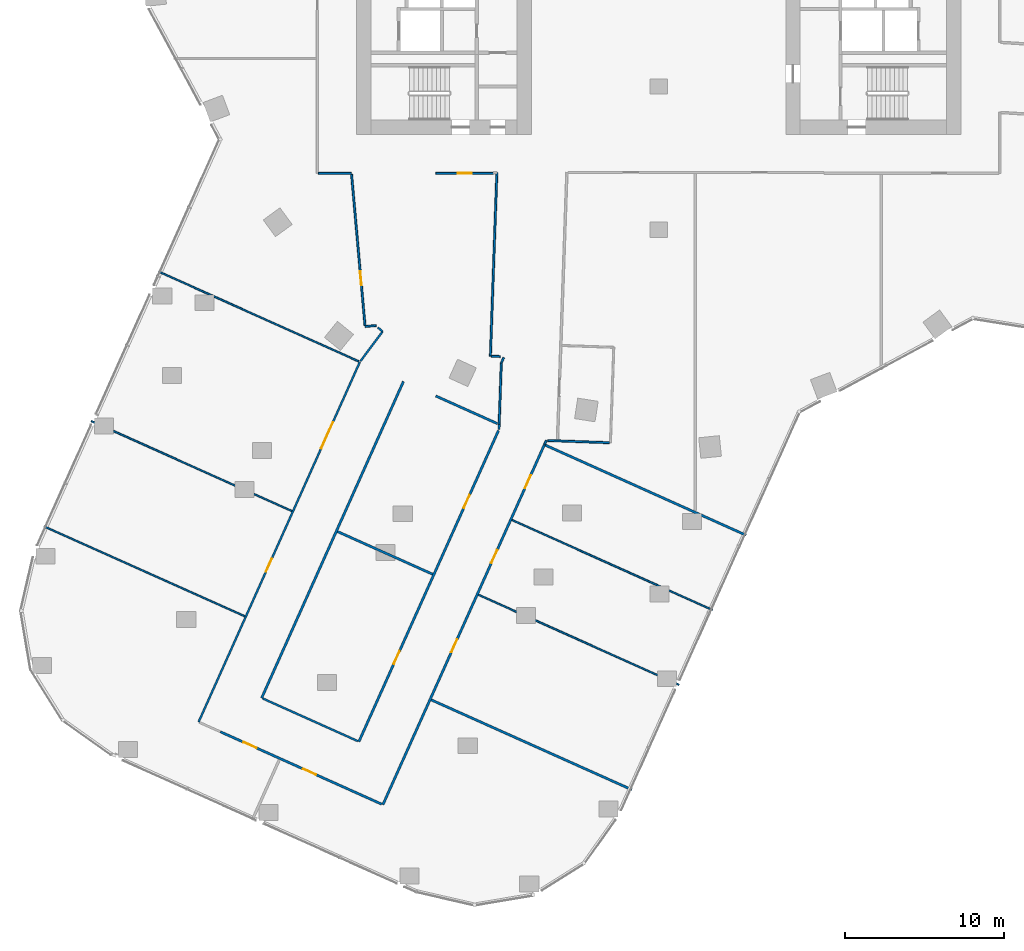
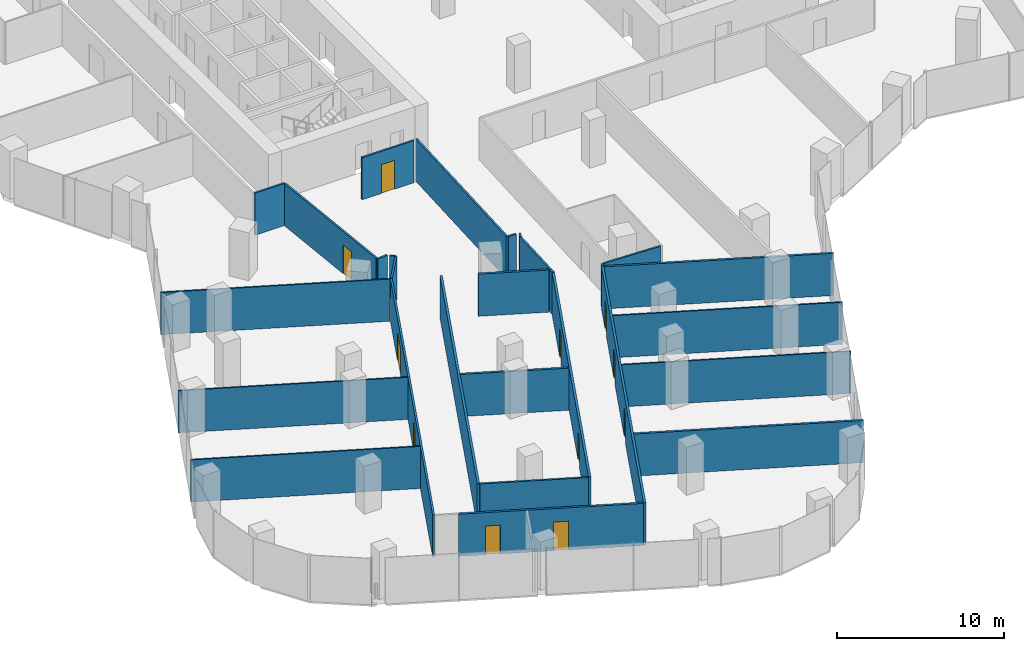
# One storey, part 25 of 34: 28 walls, 11 doors, 11 openings.
"""IFC4 building model written with IfcOpenShell, lengths in metres."""

from ifc_helpers import new_model, si_unit, direction, frame, frame_2d, origin, place, context, subcontext, project, spatial, rectangle, extrude, material, layer, layer_set, type_object, element, fill, save


model = new_model("IFC4")

# Units and contexts
model_context = context("Model", 3, precision=1e-05, world=origin(), true_north=direction((0.0, 1.0)))
body_context = subcontext(model_context, "Body", "Model", "MODEL_VIEW")
ifc_project = project(units=[si_unit("LENGTHUNIT", "METRE"), si_unit("AREAUNIT", "SQUARE_METRE"), si_unit("VOLUMEUNIT", "CUBIC_METRE"), si_unit("PLANEANGLEUNIT", "RADIAN"), si_unit("MASSUNIT", "GRAM", prefix="KILO")], contexts=[model_context])

# Site, building, storey
site_placement = place(None, origin())
site = spatial("IfcSite", under=ifc_project, at=site_placement, CompositionType="ELEMENT")
building_placement = place(site_placement, origin())
building = spatial("IfcBuilding", under=site, at=building_placement, Name="Orlundy Tower", CompositionType="ELEMENT")
storey_placement = place(building_placement, frame((0.0, 0.0, 130.699951171875)))
storey = spatial("IfcBuildingStorey", under=building, at=storey_placement, Name="L33", CompositionType="ELEMENT", Elevation=130.699951171875)

# Walls
ifc_material_1 = material(Name="Gypsum board partition")
ifc_layer_1 = layer(ifc_material_1, 0.10009765625)
ifc_layer_set_1 = layer_set([ifc_layer_1], Name="Floor partition 100")
wall_type_1 = type_object("IfcWallType", Name="Floor partition 100", PredefinedType="PARTITIONING", material=ifc_layer_set_1)
wall_1_placement = place(storey_placement, frame((-35.669921875, -30.029052734375, 0.0), z_axis=(0.0, 0.0, 1.0), x_axis=(0.912388382828, -0.409325590307, 0.0)))
element("IfcWall", 1, at=wall_1_placement, inside=storey, type_object=wall_type_1, Name="wall-int-L33-007", PredefinedType="PARTITIONING", context=body_context, shape_type="SweptSolid", body=[
    extrude(rectangle(XDim=13.827392578125, YDim=0.10009765625, at=frame_2d((6.91357421875, 0.0))), origin(), (0.0, 0.0, 1.0), 3.080078125),
])
for number, where, z_axis, x_axis, name in (
    (2, (-11.3330078125, -40.949951171875, 0.0), (0.0, 0.0, 1.0), (0.912391093054, -0.409319549149, 0.0), "wall-int-L33-009"),
    (3, (-9.222900390625, -36.248046875, 0.0), (0.0, 0.0, 1.0), (0.912391093054, -0.409319549149, 0.0), "wall-int-L33-010"),
):
    element("IfcWall", number, at=place(storey_placement, frame(where, z_axis=z_axis, x_axis=x_axis)), inside=storey, type_object=wall_type_1, Name=name, PredefinedType="PARTITIONING", context=body_context, shape_type="SweptSolid", body=[
        extrude(rectangle(XDim=13.8251953125, YDim=0.10009765625, at=frame_2d((6.91259765625, 0.0))), origin(), (0.0, 0.0, 1.0), 3.080078125),
    ])
wall_2_placement = place(storey_placement, frame((-31.449951171875, -20.625, 0.0), z_axis=(0.0, 0.0, 1.0), x_axis=(0.91235405171, -0.409402105916, 0.0)))
element("IfcWall", 4, at=wall_2_placement, inside=storey, type_object=wall_type_1, Name="wall-int-L33-011", PredefinedType="PARTITIONING", context=body_context, shape_type="SweptSolid", body=[
    extrude(rectangle(XDim=13.80810546875, YDim=0.10009765625, at=frame_2d((6.904052734375, 0.0))), origin(), (0.0, 0.0, 1.0), 3.080078125),
])
wall_3_placement = place(storey_placement, frame((-38.64111328125, -36.65087890625, 0.0), z_axis=(0.0, 0.0, 1.0), x_axis=(0.912605853038, -0.408840503132, 0.0)))
element("IfcWall", 5, at=wall_3_placement, inside=storey, type_object=wall_type_1, Name="wall-int-L33-015", PredefinedType="PARTITIONING", context=body_context, shape_type="SweptSolid", body=[
    extrude(rectangle(XDim=13.831787109375, YDim=0.10009765625, at=frame_2d((6.916015625, 0.0))), origin(), (0.0, 0.0, 1.0), 3.080078125),
])

# Wall, opening, door
ifc_material_2 = material(Name="Gypsum board partition, double layer")
ifc_layer_2 = layer(ifc_material_2, 0.125)
ifc_layer_set_2 = layer_set([ifc_layer_2], Name="Floor partition 125")
wall_type_2 = type_object("IfcWallType", Name="Floor partition 125", PredefinedType="PARTITIONING", material=ifc_layer_set_2)
wall_4_placement = place(storey_placement, frame((-18.4619140625, -24.02001953125, 0.0), z_axis=(0.0, 0.0, 1.0), x_axis=(-0.088655965606, 0.996062307169, 0.0)))
wall_4 = element("IfcWall", 6, at=wall_4_placement, inside=storey, type_object=wall_type_2, Name="wall-int-L33-001", PredefinedType="PARTITIONING", context=body_context, shape_type="SweptSolid", body=[
    extrude(rectangle(XDim=9.544677734375, YDim=0.125, at=frame_2d((4.7724609375, 0.0))), origin(), (0.0, 0.0, 1.0), 3.080078125),
])
opening_1_placement = place(wall_4_placement, frame((2.536376953125, 0.0, 0.0)))
opening_1 = element("IfcOpeningElement", 7, at=opening_1_placement, cuts=wall_4, Name="Opening 25121", PredefinedType="OPENING", context=body_context, shape_type="SweptSolid", body=[
    extrude(rectangle(XDim=0.89990234375, YDim=2.10009765625, at=frame_2d((0.449951171875, 1.050048828125))), frame((0.0, 0.072509765625, 0.0), z_axis=(0.0, -1.0, 0.0), x_axis=(1.0, 0.0, 0.0)), (0.0, 0.0, 1.0), 0.14501953125),
])
ifc_material_3 = material(Name="Timber door leaf", Category="wood")
door_type_1 = type_object("IfcDoorType", Name="Floor door single 900 FD30S", OperationType="NOTDEFINED", PredefinedType="DOOR", material=ifc_material_3)
door_1_placement = place(opening_1_placement, origin())
door_1 = element("IfcDoor", 8, at=door_1_placement, inside=storey, type_object=door_type_1, Name="Door 25121", OperationType="SINGLE_SWING_LEFT", OverallHeight=2.10009765625, OverallWidth=0.89990234375, PredefinedType="DOOR", context=body_context, shape_type="SweptSolid", body=[
    extrude(rectangle(XDim=0.89990234375, YDim=2.10009765625, at=frame_2d((0.449951171875, 1.050048828125))), frame((0.0, 0.02490234375, 0.0), z_axis=(0.0, -1.0, 0.0), x_axis=(1.0, 0.0, 0.0)), (0.0, 0.0, 1.0), 0.050048828125),
])
fill(opening_1, door_1)

# Walls
wall_5_placement = place(storey_placement, frame((-17.653076171875, -24.14892578125, 0.0), z_axis=(0.0, 0.0, 1.0), x_axis=(0.774889561174, -0.632096644496, 0.0)))
element("IfcWall", 9, at=wall_5_placement, inside=storey, type_object=wall_type_2, Name="wall-int-L33-003", PredefinedType="PARTITIONING", context=body_context, shape_type="SweptSolid", body=[
    extrude(rectangle(XDim=0.384765625, YDim=0.125, at=frame_2d((0.1923828125, 0.0))), origin(), (0.0, 0.0, 1.0), 3.080078125),
])
wall_6_placement = place(storey_placement, frame((-24.89208984375, -47.469970703125, 0.0), z_axis=(0.0, 0.0, 1.0), x_axis=(0.912446481469, -0.409196063588, 0.0)))
element("IfcWall", 10, at=wall_6_placement, inside=storey, type_object=wall_type_2, Name="wall-int-L33-006", PredefinedType="PARTITIONING", context=body_context, shape_type="SweptSolid", body=[
    extrude(rectangle(XDim=6.5517578125, YDim=0.125, at=frame_2d((3.27587890625, 0.0))), origin(), (0.0, 0.0, 1.0), 3.080078125),
])
wall_7_placement = place(storey_placement, frame((-6.968017578125, -31.2509765625, 0.0), z_axis=(0.0, 0.0, 1.0), x_axis=(0.99936470119, -0.035639781365, 0.0)))
element("IfcWall", 11, at=wall_7_placement, inside=storey, type_object=wall_type_2, Name="wall-int-L33-030", PredefinedType="PARTITIONING", context=body_context, shape_type="SweptSolid", body=[
    extrude(rectangle(XDim=3.870361328125, YDim=0.125, at=frame_2d((1.93505859375, 0.0))), origin(), (0.0, 0.0, 1.0), 3.080078125),
])
wall_8_placement = place(storey_placement, frame((-10.514892578125, -25.950927734375, 0.0), z_axis=(0.0, 0.0, 1.0), x_axis=(0.999387748514, -0.034987542363, 0.0)))
element("IfcWall", 12, at=wall_8_placement, inside=storey, type_object=wall_type_2, Name="wall-int-L33-031", PredefinedType="PARTITIONING", context=body_context, shape_type="SweptSolid", body=[
    extrude(rectangle(XDim=0.544189453125, YDim=0.125, at=frame_2d((0.27197265625, 0.0))), origin(), (0.0, 0.0, 1.0), 3.080078125),
])
wall_9_placement = place(storey_placement, frame((-21.386962890625, -14.450927734375, 0.0), z_axis=(0.0, 0.0, 1.0), x_axis=(1.0, 0.0, 0.0)))
element("IfcWall", 13, at=wall_9_placement, inside=storey, type_object=wall_type_2, Name="wall-int-L33-033", PredefinedType="PARTITIONING", context=body_context, shape_type="SweptSolid", body=[
    extrude(rectangle(XDim=2.072998046875, YDim=0.125, at=frame_2d((1.03662109375, 0.0))), origin(), (0.0, 0.0, 1.0), 3.080078125),
])

# Wall, opening, door
wall_10_placement = place(storey_placement, frame((-10.39111328125, -14.450927734375, 0.0), z_axis=(0.0, 0.0, 1.0), x_axis=(-1.0, 0.0, 0.0)))
wall_10 = element("IfcWall", 14, at=wall_10_placement, inside=storey, type_object=wall_type_2, Name="wall-int-L33-034", PredefinedType="PARTITIONING", context=body_context, shape_type="SweptSolid", body=[
    extrude(rectangle(XDim=3.60888671875, YDim=0.125, at=frame_2d((1.804443359375, 0.0))), origin(), (0.0, 0.0, 1.0), 3.080078125),
])
opening_2_placement = place(wall_10_placement, frame((1.35009765625, 0.0, 0.0)))
opening_2 = element("IfcOpeningElement", 15, at=opening_2_placement, cuts=wall_10, Name="Opening 25122", PredefinedType="OPENING", context=body_context, shape_type="SweptSolid", body=[
    extrude(rectangle(XDim=0.89990234375, YDim=2.10009765625, at=frame_2d((0.449951171875, 1.050048828125))), frame((0.0, 0.072509765625, 0.0), z_axis=(0.0, -1.0, 0.0), x_axis=(1.0, 0.0, 0.0)), (0.0, 0.0, 1.0), 0.14501953125),
])
door_2_placement = place(opening_2_placement, origin())
door_2 = element("IfcDoor", 16, at=door_2_placement, inside=storey, type_object=door_type_1, Name="Door 25122", OperationType="SINGLE_SWING_LEFT", OverallHeight=2.10009765625, OverallWidth=0.89990234375, PredefinedType="DOOR", context=body_context, shape_type="SweptSolid", body=[
    extrude(rectangle(XDim=0.89990234375, YDim=2.10009765625, at=frame_2d((0.449951171875, 1.050048828125))), frame((0.0, 0.02490234375, 0.0), z_axis=(0.0, -1.0, 0.0), x_axis=(1.0, 0.0, 0.0)), (0.0, 0.0, 1.0), 0.050048828125),
])
fill(opening_2, door_2)

# Walls
wall_11_placement = place(storey_placement, frame((-18.455078125, -24.0830078125, 0.0), z_axis=(0.0, 0.0, 1.0), x_axis=(0.996054818248, 0.088740064481, 0.0)))
element("IfcWall", 17, at=wall_11_placement, inside=storey, type_object=wall_type_2, Name="wall-int-L33-045", PredefinedType="PARTITIONING", context=body_context, shape_type="SweptSolid", body=[
    extrude(rectangle(XDim=0.69873046875, YDim=0.125, at=frame_2d((0.349365234375, 0.0))), origin(), (0.0, 0.0, 1.0), 3.080078125),
])
wall_12_placement = place(storey_placement, frame((-17.35498046875, -24.39208984375, 0.0), z_axis=(0.0, 0.0, 1.0), x_axis=(-0.597497187646, -0.801871006306, 0.0)))
element("IfcWall", 18, at=wall_12_placement, inside=storey, type_object=wall_type_2, Name="wall-int-L33-047", PredefinedType="PARTITIONING", context=body_context, shape_type="SweptSolid", body=[
    extrude(rectangle(XDim=2.328125, YDim=0.125, at=frame_2d((1.1640625, 0.0))), origin(), (0.0, 0.0, 1.0), 3.080078125),
])
wall_13_placement = place(storey_placement, frame((-9.89208984375, -26.3740234375, 0.0), z_axis=(0.0, 0.0, 1.0), x_axis=(0.415837630043, 0.909438873944, 0.0)))
element("IfcWall", 19, at=wall_13_placement, inside=storey, type_object=wall_type_2, Name="wall-int-L33-048", PredefinedType="PARTITIONING", context=body_context, shape_type="SweptSolid", body=[
    extrude(rectangle(XDim=0.370361328125, YDim=0.125, at=frame_2d((0.18505859375, 0.0))), origin(), (0.0, 0.0, 1.0), 3.080078125),
])
wall_14_placement = place(storey_placement, frame((-7.180908203125, -31.514892578125, 0.0), z_axis=(0.0, 0.0, 1.0), x_axis=(0.409774665578, 0.912186781011, 0.0)))
element("IfcWall", 20, at=wall_14_placement, inside=storey, type_object=wall_type_2, Name="wall-int-L33-050", PredefinedType="PARTITIONING", context=body_context, shape_type="SweptSolid", body=[
    extrude(rectangle(XDim=0.29248046875, YDim=0.125, at=frame_2d((0.146240234375, 0.0))), origin(), (0.0, 0.0, 1.0), 3.080078125),
])

# Wall, openings, doors
wall_15_placement = place(storey_placement, frame((-28.925048828125, -48.948974609375, 0.0), z_axis=(0.0, 0.0, 1.0), x_axis=(0.408793939156, 0.91262671192, 0.0)))
wall_15 = element("IfcWall", 21, at=wall_15_placement, inside=storey, type_object=wall_type_2, Name="wall-int-L33-055", PredefinedType="PARTITIONING", context=body_context, shape_type="SweptSolid", body=[
    extrude(rectangle(XDim=24.807373046875, YDim=0.125, at=frame_2d((12.40380859375, 0.0))), origin(), (0.0, 0.0, 1.0), 3.080078125),
])
opening_3_placement = place(wall_15_placement, frame((10.3505859375, 0.0, 0.0)))
opening_3 = element("IfcOpeningElement", 22, at=opening_3_placement, cuts=wall_15, Name="Opening 25115", PredefinedType="OPENING", context=body_context, shape_type="SweptSolid", body=[
    extrude(rectangle(XDim=0.89990234375, YDim=2.10009765625, at=frame_2d((0.449951171875, 1.050048828125))), frame((0.0, 0.072509765625, 0.0), z_axis=(0.0, -1.0, 0.0), x_axis=(1.0, 0.0, 0.0)), (0.0, 0.0, 1.0), 0.14501953125),
])
opening_4_placement = place(wall_15_placement, frame((18.85107421875, 0.0, 0.0)))
opening_4 = element("IfcOpeningElement", 23, at=opening_4_placement, cuts=wall_15, Name="Opening 25119", PredefinedType="OPENING", context=body_context, shape_type="SweptSolid", body=[
    extrude(rectangle(XDim=1.800048828125, YDim=2.10009765625, at=frame_2d((0.89990234375, 1.050048828125))), frame((0.0, 0.072509765625, 0.0), z_axis=(0.0, -1.0, 0.0), x_axis=(1.0, 0.0, 0.0)), (0.0, 0.0, 1.0), 0.14501953125),
])
ifc_material_4 = material(Name="Timber door leaf", Category="wood")
door_type_2 = type_object("IfcDoorType", Name="Floor door double 1800 FD30S", OperationType="NOTDEFINED", PredefinedType="DOOR", material=ifc_material_4)
door_3_placement = place(opening_4_placement, origin())
door_3 = element("IfcDoor", 24, at=door_3_placement, inside=storey, type_object=door_type_2, Name="Door 25119", OperationType="DOUBLE_DOOR_SINGLE_SWING", OverallHeight=2.10009765625, OverallWidth=1.800048828125, PredefinedType="DOOR", context=body_context, shape_type="SweptSolid", body=[
    extrude(rectangle(XDim=1.800048828125, YDim=2.10009765625, at=frame_2d((0.89990234375, 1.050048828125))), frame((0.0, 0.02490234375, 0.0), z_axis=(0.0, -1.0, 0.0), x_axis=(1.0, 0.0, 0.0)), (0.0, 0.0, 1.0), 0.050048828125),
])
fill(opening_4, door_3)
door_4_placement = place(opening_3_placement, origin())
door_4 = element("IfcDoor", 25, at=door_4_placement, inside=storey, type_object=door_type_1, Name="Door 25115", OperationType="SINGLE_SWING_LEFT", OverallHeight=2.10009765625, OverallWidth=0.89990234375, PredefinedType="DOOR", context=body_context, shape_type="SweptSolid", body=[
    extrude(rectangle(XDim=0.89990234375, YDim=2.10009765625, at=frame_2d((0.449951171875, 1.050048828125))), frame((0.0, 0.02490234375, 0.0), z_axis=(0.0, -1.0, 0.0), x_axis=(1.0, 0.0, 0.0)), (0.0, 0.0, 1.0), 0.050048828125),
])
fill(opening_3, door_4)

# Walls
wall_16_placement = place(storey_placement, frame((-10.028076171875, -30.238037109375, 0.0), z_axis=(0.0, 0.0, 1.0), x_axis=(0.03517125066, 0.999381300169, 0.0)))
element("IfcWall", 26, at=wall_16_placement, inside=storey, type_object=wall_type_2, Name="wall-int-L33-074", PredefinedType="PARTITIONING", context=body_context, shape_type="SweptSolid", body=[
    extrude(rectangle(XDim=3.866455078125, YDim=0.125, at=frame_2d((1.93310546875, 0.0))), origin(), (0.0, 0.0, 1.0), 3.080078125),
])
wall_17_placement = place(storey_placement, frame((-10.577880859375, -25.947998046875, 0.0), z_axis=(0.0, 0.0, 1.0), x_axis=(0.035223493249, 0.999379460227, 0.0)))
element("IfcWall", 27, at=wall_17_placement, inside=storey, type_object=wall_type_2, Name="wall-int-L33-076", PredefinedType="PARTITIONING", context=body_context, shape_type="SweptSolid", body=[
    extrude(rectangle(XDim=11.55419921875, YDim=0.125, at=frame_2d((5.777099609375, 0.0))), origin(), (0.0, 0.0, 1.0), 3.080078125),
])

# Wall, openings, doors
ifc_material_5 = material(Name="Blockwork shaft wall", Category="masonry")
ifc_layer_3 = layer(ifc_material_5, 0.14990234375)
ifc_layer_set_3 = layer_set([ifc_layer_3], Name="Floor shaft wall 150")
wall_type_3 = type_object("IfcWallType", Name="Floor shaft wall 150", PredefinedType="PARTITIONING", material=ifc_layer_set_3)
wall_18_placement = place(storey_placement, frame((-17.412109375, -54.115966796875, 0.0), z_axis=(0.0, 0.0, 1.0), x_axis=(-0.912315908863, 0.409487096787, 0.0)))
wall_18 = element("IfcWall", 28, at=wall_18_placement, inside=storey, type_object=wall_type_3, Name="wall-int-L33-005", PredefinedType="PARTITIONING", context=body_context, shape_type="SweptSolid", body=[
    extrude(rectangle(XDim=11.11865234375, YDim=0.14990234375, at=frame_2d((5.559326171875, 0.0))), origin(), (0.0, 0.0, 1.0), 3.080078125),
])
opening_5_placement = place(wall_18_placement, frame((8.6181640625, 0.0, 0.0)))
opening_5 = element("IfcOpeningElement", 29, at=opening_5_placement, cuts=wall_18, Name="Opening 25117", PredefinedType="OPENING", context=body_context, shape_type="SweptSolid", body=[
    extrude(rectangle(XDim=0.89990234375, YDim=2.10009765625, at=frame_2d((0.449951171875, 1.050048828125))), frame((0.0, 0.0849609375, 0.0), z_axis=(0.0, -1.0, 0.0), x_axis=(1.0, 0.0, 0.0)), (0.0, 0.0, 1.0), 0.169921875),
])
opening_6_placement = place(wall_18_placement, frame((4.51806640625, 0.0, 0.0)))
opening_6 = element("IfcOpeningElement", 30, at=opening_6_placement, cuts=wall_18, Name="Opening 25118", PredefinedType="OPENING", context=body_context, shape_type="SweptSolid", body=[
    extrude(rectangle(XDim=0.89990234375, YDim=2.10009765625, at=frame_2d((0.449951171875, 1.050048828125))), frame((0.0, 0.0849609375, 0.0), z_axis=(0.0, -1.0, 0.0), x_axis=(1.0, 0.0, 0.0)), (0.0, 0.0, 1.0), 0.169921875),
])
ifc_material_6 = material(Name="Timber door leaf", Category="wood")
door_type_3 = type_object("IfcDoorType", Name="Floor door single 900 FD60", OperationType="NOTDEFINED", PredefinedType="DOOR", material=ifc_material_6)
door_5_placement = place(opening_5_placement, origin())
door_5 = element("IfcDoor", 31, at=door_5_placement, inside=storey, type_object=door_type_3, Name="Door 25117", OperationType="SINGLE_SWING_RIGHT", OverallHeight=2.10009765625, OverallWidth=0.89990234375, PredefinedType="DOOR", context=body_context, shape_type="SweptSolid", body=[
    extrude(rectangle(XDim=0.89990234375, YDim=2.10009765625, at=frame_2d((0.449951171875, 1.050048828125))), frame((0.0, 0.02490234375, 0.0), z_axis=(0.0, -1.0, 0.0), x_axis=(1.0, 0.0, 0.0)), (0.0, 0.0, 1.0), 0.050048828125),
])
fill(opening_5, door_5)
door_6_placement = place(opening_6_placement, origin())
door_6 = element("IfcDoor", 32, at=door_6_placement, inside=storey, type_object=door_type_3, Name="Door 25118", OperationType="SINGLE_SWING_LEFT", OverallHeight=2.10009765625, OverallWidth=0.89990234375, PredefinedType="DOOR", context=body_context, shape_type="SweptSolid", body=[
    extrude(rectangle(XDim=0.89990234375, YDim=2.10009765625, at=frame_2d((0.449951171875, 1.050048828125))), frame((0.0, 0.02490234375, 0.0), z_axis=(0.0, -1.0, 0.0), x_axis=(1.0, 0.0, 0.0)), (0.0, 0.0, 1.0), 0.050048828125),
])
fill(opening_6, door_6)

# Walls
wall_19_placement = place(storey_placement, frame((-20.19091796875, -36.97509765625, 0.0), z_axis=(0.0, 0.0, 1.0), x_axis=(0.912454220663, -0.409178805896, 0.0)))
element("IfcWall", 33, at=wall_19_placement, inside=storey, type_object=wall_type_3, Name="wall-int-L33-008", PredefinedType="PARTITIONING", context=body_context, shape_type="SweptSolid", body=[
    extrude(rectangle(XDim=6.55908203125, YDim=0.14990234375, at=frame_2d((3.279541015625, 0.0))), origin(), (0.0, 0.0, 1.0), 3.080078125),
])
wall_20_placement = place(storey_placement, frame((-14.014892578125, -28.448974609375, 0.0), z_axis=(0.0, 0.0, 1.0), x_axis=(0.912389731209, -0.409322584748, 0.0)))
element("IfcWall", 34, at=wall_20_placement, inside=storey, type_object=wall_type_3, Name="wall-int-L33-012", PredefinedType="PARTITIONING", context=body_context, shape_type="SweptSolid", body=[
    extrude(rectangle(XDim=4.258056640625, YDim=0.14990234375, at=frame_2d((2.12890625, 0.0))), origin(), (0.0, 0.0, 1.0), 3.080078125),
])
wall_21_placement = place(storey_placement, frame((-7.113037109375, -31.5458984375, 0.0), z_axis=(0.0, 0.0, 1.0), x_axis=(0.912346277005, -0.409419431432, 0.0)))
element("IfcWall", 35, at=wall_21_placement, inside=storey, type_object=wall_type_3, Name="wall-int-L33-013", PredefinedType="PARTITIONING", context=body_context, shape_type="SweptSolid", body=[
    extrude(rectangle(XDim=13.824951171875, YDim=0.14990234375, at=frame_2d((6.91259765625, 0.0))), origin(), (0.0, 0.0, 1.0), 3.080078125),
])
wall_22_placement = place(storey_placement, frame((-14.298095703125, -47.556884765625, 0.0), z_axis=(0.0, 0.0, 1.0), x_axis=(0.912614076789, -0.408822145738, 0.0)))
element("IfcWall", 36, at=wall_22_placement, inside=storey, type_object=wall_type_3, Name="wall-int-L33-016", PredefinedType="PARTITIONING", context=body_context, shape_type="SweptSolid", body=[
    extrude(rectangle(XDim=13.825439453125, YDim=0.14990234375, at=frame_2d((6.91259765625, 0.0))), origin(), (0.0, 0.0, 1.0), 3.080078125),
])

# Wall, openings, doors
wall_23_placement = place(storey_placement, frame((-7.181884765625, -31.513916015625, 0.0), z_axis=(0.0, 0.0, 1.0), x_axis=(-0.409349192906, -0.912377793607, 0.0)))
wall_23 = element("IfcWall", 37, at=wall_23_placement, inside=storey, type_object=wall_type_3, Name="wall-int-L33-051", PredefinedType="PARTITIONING", context=body_context, shape_type="SweptSolid", body=[
    extrude(rectangle(XDim=24.807861328125, YDim=0.14990234375, at=frame_2d((12.40380859375, 0.0))), origin(), (0.0, 0.0, 1.0), 3.080078125),
])
opening_7_placement = place(wall_23_placement, frame((2.1005859375, 0.0, 0.0)))
opening_7 = element("IfcOpeningElement", 38, at=opening_7_placement, cuts=wall_23, Name="Opening 25111", PredefinedType="OPENING", context=body_context, shape_type="SweptSolid", body=[
    extrude(rectangle(XDim=0.89990234375, YDim=2.10009765625, at=frame_2d((0.449951171875, 1.050048828125))), frame((0.0, 0.0849609375, 0.0), z_axis=(0.0, -1.0, 0.0), x_axis=(1.0, 0.0, 0.0)), (0.0, 0.0, 1.0), 0.169921875),
])
opening_8_placement = place(wall_23_placement, frame((7.254150390625, 0.0, 0.0)))
opening_8 = element("IfcOpeningElement", 39, at=opening_8_placement, cuts=wall_23, Name="Opening 25112", PredefinedType="OPENING", context=body_context, shape_type="SweptSolid", body=[
    extrude(rectangle(XDim=0.89990234375, YDim=2.10009765625, at=frame_2d((0.449951171875, 1.050048828125))), frame((0.0, 0.0849609375, 0.0), z_axis=(0.0, -1.0, 0.0), x_axis=(1.0, 0.0, 0.0)), (0.0, 0.0, 1.0), 0.169921875),
])
opening_9_placement = place(wall_23_placement, frame((13.407958984375, 0.0, 0.0)))
opening_9 = element("IfcOpeningElement", 40, at=opening_9_placement, cuts=wall_23, Name="Opening 25114", PredefinedType="OPENING", context=body_context, shape_type="SweptSolid", body=[
    extrude(rectangle(XDim=0.89990234375, YDim=2.10009765625, at=frame_2d((0.449951171875, 1.050048828125))), frame((0.0, 0.0849609375, 0.0), z_axis=(0.0, -1.0, 0.0), x_axis=(1.0, 0.0, 0.0)), (0.0, 0.0, 1.0), 0.169921875),
])
door_7_placement = place(opening_7_placement, origin())
door_7 = element("IfcDoor", 41, at=door_7_placement, inside=storey, type_object=door_type_3, Name="Door 25111", OperationType="SINGLE_SWING_LEFT", OverallHeight=2.10009765625, OverallWidth=0.89990234375, PredefinedType="DOOR", context=body_context, shape_type="SweptSolid", body=[
    extrude(rectangle(XDim=0.89990234375, YDim=2.10009765625, at=frame_2d((0.449951171875, 1.050048828125))), frame((0.0, 0.02490234375, 0.0), z_axis=(0.0, -1.0, 0.0), x_axis=(1.0, 0.0, 0.0)), (0.0, 0.0, 1.0), 0.050048828125),
])
fill(opening_7, door_7)
door_8_placement = place(opening_8_placement, origin())
door_8 = element("IfcDoor", 42, at=door_8_placement, inside=storey, type_object=door_type_3, Name="Door 25112", OperationType="SINGLE_SWING_LEFT", OverallHeight=2.10009765625, OverallWidth=0.89990234375, PredefinedType="DOOR", context=body_context, shape_type="SweptSolid", body=[
    extrude(rectangle(XDim=0.89990234375, YDim=2.10009765625, at=frame_2d((0.449951171875, 1.050048828125))), frame((0.0, 0.02490234375, 0.0), z_axis=(0.0, -1.0, 0.0), x_axis=(1.0, 0.0, 0.0)), (0.0, 0.0, 1.0), 0.050048828125),
])
fill(opening_8, door_8)
door_9_placement = place(opening_9_placement, origin())
door_9 = element("IfcDoor", 43, at=door_9_placement, inside=storey, type_object=door_type_3, Name="Door 25114", OperationType="SINGLE_SWING_RIGHT", OverallHeight=2.10009765625, OverallWidth=0.89990234375, PredefinedType="DOOR", context=body_context, shape_type="SweptSolid", body=[
    extrude(rectangle(XDim=0.89990234375, YDim=2.10009765625, at=frame_2d((0.449951171875, 1.050048828125))), frame((0.0, 0.02490234375, 0.0), z_axis=(0.0, -1.0, 0.0), x_axis=(1.0, 0.0, 0.0)), (0.0, 0.0, 1.0), 0.050048828125),
])
fill(opening_9, door_9)

wall_24_placement = place(storey_placement, frame((-18.845947265625, -50.181884765625, 0.0), z_axis=(0.0, 0.0, 1.0), x_axis=(0.409371431607, 0.912367815622, 0.0)))
wall_24 = element("IfcWall", 44, at=wall_24_placement, inside=storey, type_object=wall_type_3, Name="wall-int-L33-052", PredefinedType="PARTITIONING", context=body_context, shape_type="SweptSolid", body=[
    extrude(rectangle(XDim=21.4375, YDim=0.14990234375, at=frame_2d((10.71875, 0.0))), origin(), (0.0, 0.0, 1.0), 3.080078125),
])
opening_10_placement = place(wall_24_placement, frame((16.099853515625, 0.0, 0.0)))
opening_10 = element("IfcOpeningElement", 45, at=opening_10_placement, cuts=wall_24, Name="Opening 25113", PredefinedType="OPENING", context=body_context, shape_type="SweptSolid", body=[
    extrude(rectangle(XDim=0.89990234375, YDim=2.10009765625, at=frame_2d((0.449951171875, 1.050048828125))), frame((0.0, 0.0849609375, 0.0), z_axis=(0.0, -1.0, 0.0), x_axis=(1.0, 0.0, 0.0)), (0.0, 0.0, 1.0), 0.169921875),
])
opening_11_placement = place(wall_24_placement, frame((5.35009765625, 0.0, 0.0)))
opening_11 = element("IfcOpeningElement", 46, at=opening_11_placement, cuts=wall_24, Name="Opening 25116", PredefinedType="OPENING", context=body_context, shape_type="SweptSolid", body=[
    extrude(rectangle(XDim=0.89990234375, YDim=2.10009765625, at=frame_2d((0.449951171875, 1.050048828125))), frame((0.0, 0.0849609375, 0.0), z_axis=(0.0, -1.0, 0.0), x_axis=(1.0, 0.0, 0.0)), (0.0, 0.0, 1.0), 0.169921875),
])
door_10_placement = place(opening_10_placement, origin())
door_10 = element("IfcDoor", 47, at=door_10_placement, inside=storey, type_object=door_type_3, Name="Door 25113", OperationType="SINGLE_SWING_RIGHT", OverallHeight=2.10009765625, OverallWidth=0.89990234375, PredefinedType="DOOR", context=body_context, shape_type="SweptSolid", body=[
    extrude(rectangle(XDim=0.89990234375, YDim=2.10009765625, at=frame_2d((0.449951171875, 1.050048828125))), frame((0.0, 0.02490234375, 0.0), z_axis=(0.0, -1.0, 0.0), x_axis=(1.0, 0.0, 0.0)), (0.0, 0.0, 1.0), 0.050048828125),
])
fill(opening_10, door_10)
door_11_placement = place(opening_11_placement, origin())
door_11 = element("IfcDoor", 48, at=door_11_placement, inside=storey, type_object=door_type_3, Name="Door 25116", OperationType="SINGLE_SWING_LEFT", OverallHeight=2.10009765625, OverallWidth=0.89990234375, PredefinedType="DOOR", context=body_context, shape_type="SweptSolid", body=[
    extrude(rectangle(XDim=0.89990234375, YDim=2.10009765625, at=frame_2d((0.449951171875, 1.050048828125))), frame((0.0, 0.02490234375, 0.0), z_axis=(0.0, -1.0, 0.0), x_axis=(1.0, 0.0, 0.0)), (0.0, 0.0, 1.0), 0.050048828125),
])
fill(opening_11, door_11)

# Walls
wall_25_placement = place(storey_placement, frame((-24.9599609375, -47.43896484375, 0.0), z_axis=(0.0, 0.0, 1.0), x_axis=(0.408787781409, 0.912629470141, 0.0)))
element("IfcWall", 49, at=wall_25_placement, inside=storey, type_object=wall_type_3, Name="wall-int-L33-054", PredefinedType="PARTITIONING", context=body_context, shape_type="SweptSolid", body=[
    extrude(rectangle(XDim=21.80615234375, YDim=0.14990234375, at=frame_2d((10.903076171875, 0.0))), origin(), (0.0, 0.0, 1.0), 3.080078125),
])
wall_26_placement = place(storey_placement, frame((-10.0390625, -30.554931640625, 0.0), z_axis=(0.0, 0.0, 1.0), x_axis=(0.034647905353, 0.999399581076, 0.0)))
element("IfcWall", 50, at=wall_26_placement, inside=storey, type_object=wall_type_3, Name="wall-int-L33-075", PredefinedType="PARTITIONING", context=body_context, shape_type="SweptSolid", body=[
    extrude(rectangle(XDim=0.317138671875, YDim=0.14990234375, at=frame_2d((0.15869140625, 0.0))), origin(), (0.0, 0.0, 1.0), 3.080078125),
])

save(model, "model.ifc")
